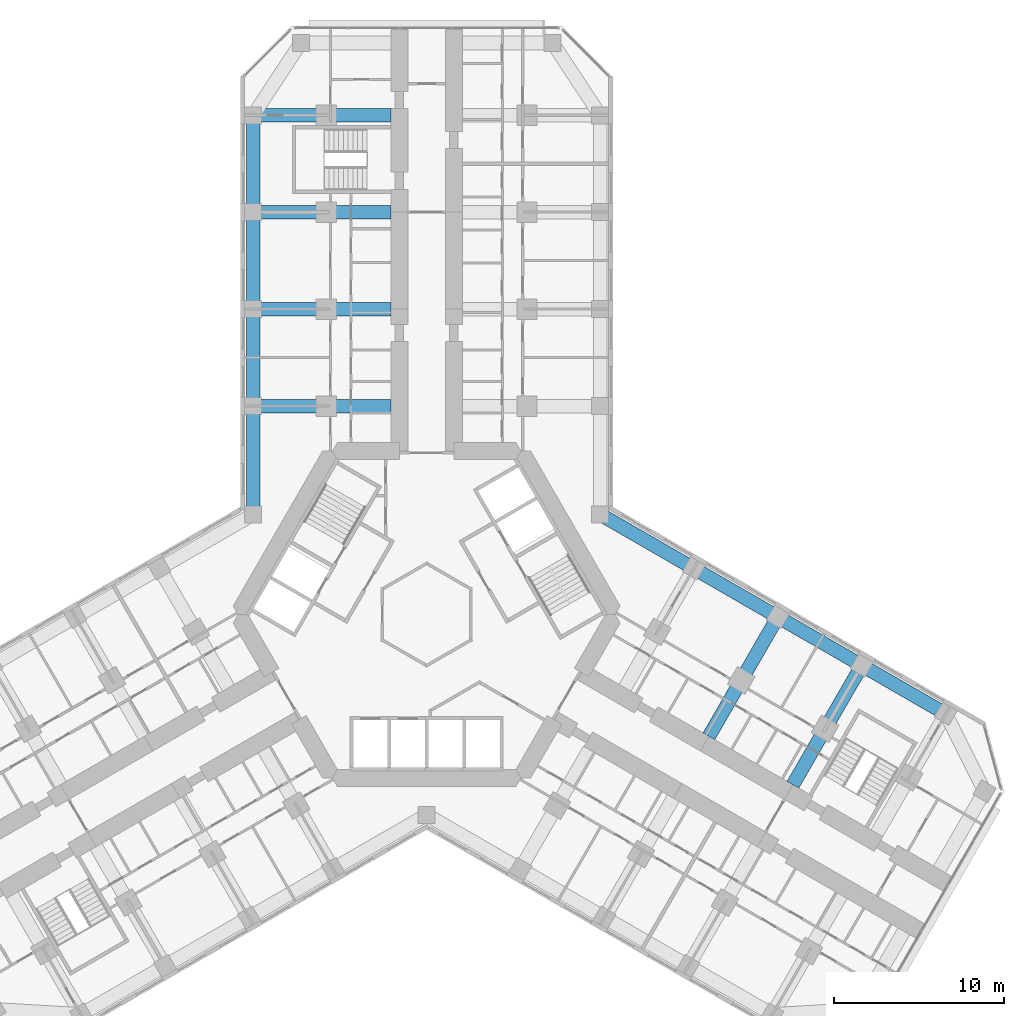
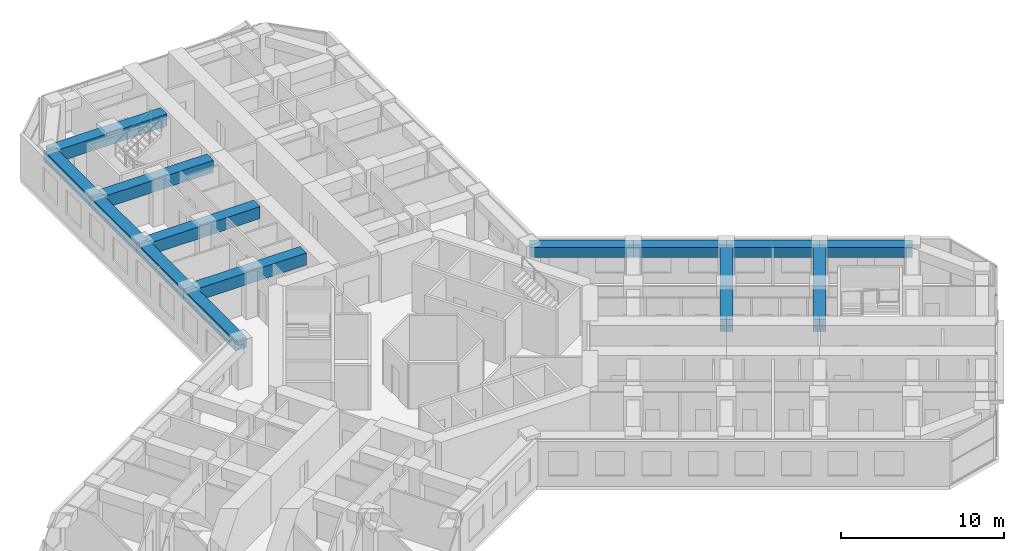
# One storey, part 6 of 21: 14 beams.
"""IFC4 building model written with IfcOpenShell, lengths in metres."""

from ifc_helpers import new_model, si_unit, direction, frame, origin, origin_2d, place, context, subcontext, project, spatial, rectangle, extrude, material, material_profile, profile_set, type_object, element, save


model = new_model("IFC4")

# Units and contexts
model_context = context("Model", 3, precision=1e-05, world=origin(), true_north=direction((0.0, 1.0)))
body_context = subcontext(model_context, "Body", "Model", "MODEL_VIEW")
ifc_project = project(units=[si_unit("LENGTHUNIT", "METRE"), si_unit("AREAUNIT", "SQUARE_METRE"), si_unit("VOLUMEUNIT", "CUBIC_METRE"), si_unit("PLANEANGLEUNIT", "RADIAN"), si_unit("MASSUNIT", "GRAM", prefix="KILO")], contexts=[model_context])

# Site, building, storey
site_placement = place(None, origin())
site = spatial("IfcSite", under=ifc_project, at=site_placement, CompositionType="ELEMENT")
building_placement = place(site_placement, origin())
building = spatial("IfcBuilding", under=site, at=building_placement, Name="Kosmar Iwan School Tower", CompositionType="ELEMENT")
storey_placement = place(building_placement, frame((0.0, 0.0, 50.199951171875)))
storey = spatial("IfcBuildingStorey", under=building, at=storey_placement, Name="L11", CompositionType="ELEMENT", Elevation=50.199951171875)

# Beams
ifc_material_1 = material(Name="Concrete C50/60", Category="concrete")
ifc_material_profile_1 = material_profile(ifc_material_1, rectangle(XDim=0.800048828125, YDim=0.75, at=origin_2d()), Name="RC 800x750")
ifc_profile_set_1 = profile_set([ifc_material_profile_1], Name="Concrete C50/60")
beam_type_1 = type_object("IfcBeamType", Name="RC edge beam 800x750", PredefinedType="BEAM", material=ifc_profile_set_1)
beam_1_placement = place(storey_placement, frame((-10.199951171875, 5.888916015625, 2.97509765625), z_axis=(0.0, 1.0, 0.0), x_axis=(-1.0, 0.0, 0.0)))
element("IfcBeam", 1, at=beam_1_placement, inside=storey, type_object=beam_type_1, Name="Edge beam AL1", PredefinedType="BEAM", context=body_context, shape_type="SweptSolid", body=[
    extrude(rectangle(XDim=0.800048828125, YDim=0.75, at=origin_2d()), origin(), (0.0, 0.0, 1.0), 6.361083984375),
])
for number, where, z_axis, x_axis, name in (
    (2, (-10.199951171875, 12.25, 2.97509765625), (0.0, 1.0, 0.0), (-1.0, 0.0, 0.0), "Edge beam AL2"),
    (3, (-10.199951171875, 17.949951171875, 2.97509765625), (0.0, 1.0, 0.0), (-1.0, 0.0, 0.0), "Edge beam AL3"),
):
    element("IfcBeam", number, at=place(storey_placement, frame(where, z_axis=z_axis, x_axis=x_axis)), inside=storey, type_object=beam_type_1, Name=name, PredefinedType="BEAM", context=body_context, shape_type="SweptSolid", body=[
        extrude(rectangle(XDim=0.800048828125, YDim=0.75, at=origin_2d()), origin(), (0.0, 0.0, 1.0), 5.699951171875),
    ])
beam_2_placement = place(storey_placement, frame((-10.199951171875, 23.64990234375, 2.97509765625), z_axis=(0.0, 1.0, 0.0), x_axis=(-1.0, 0.0, 0.0)))
element("IfcBeam", 4, at=beam_2_placement, inside=storey, type_object=beam_type_1, Name="Edge beam AL4", PredefinedType="BEAM", context=body_context, shape_type="SweptSolid", body=[
    extrude(rectangle(XDim=0.800048828125, YDim=0.75, at=origin_2d()), origin(), (0.0, 0.0, 1.0), 5.7001953125),
])
beam_3_placement = place(storey_placement, frame((10.199951171875, 5.888916015625, 2.97509765625), z_axis=(0.866030912664, -0.49999045822, 0.0), x_axis=(0.49999045822, 0.866030912664, 0.0)))
element("IfcBeam", 5, at=beam_3_placement, inside=storey, type_object=beam_type_1, Name="Edge beam CL1", PredefinedType="BEAM", context=body_context, shape_type="SweptSolid", body=[
    extrude(rectangle(XDim=0.800048828125, YDim=0.75, at=origin_2d()), origin(), (0.0, 0.0, 1.0), 6.36083984375),
])
beam_4_placement = place(storey_placement, frame((15.708740234375, 2.70849609375, 2.97509765625), z_axis=(0.866025820012, -0.499999279071, 0.0), x_axis=(0.499999279071, 0.866025820012, 0.0)))
element("IfcBeam", 6, at=beam_4_placement, inside=storey, type_object=beam_type_1, Name="Edge beam CL2", PredefinedType="BEAM", context=body_context, shape_type="SweptSolid", body=[
    extrude(rectangle(XDim=0.800048828125, YDim=0.75, at=origin_2d()), origin(), (0.0, 0.0, 1.0), 5.7001953125),
])
for number, where, z_axis, x_axis, name in (
    (7, (20.645263671875, -0.1416015625, 2.97509765625), (0.866033658841, -0.49998570155, 0.0), (0.49998570155, 0.866033658841, 0.0), "Edge beam CL3"),
    (8, (25.58154296875, -2.991455078125, 2.97509765625), (0.866015111908, -0.50001782563, 0.0), (0.50001782563, 0.866015111908, 0.0), "Edge beam CL4"),
):
    element("IfcBeam", number, at=place(storey_placement, frame(where, z_axis=z_axis, x_axis=x_axis)), inside=storey, type_object=beam_type_1, Name=name, PredefinedType="BEAM", context=body_context, shape_type="SweptSolid", body=[
        extrude(rectangle(XDim=0.800048828125, YDim=0.75, at=origin_2d()), origin(), (0.0, 0.0, 1.0), 5.699951171875),
    ])
ifc_material_2 = material(Name="Concrete C50/60", Category="concrete")
ifc_material_profile_2 = material_profile(ifc_material_2, rectangle(XDim=0.800048828125, YDim=0.89990234375, at=origin_2d()), Name="RC 800x900")
ifc_profile_set_2 = profile_set([ifc_material_profile_2], Name="Concrete C50/60")
beam_type_2 = type_object("IfcBeamType", Name="RC transverse beam 800x900", PredefinedType="BEAM", material=ifc_profile_set_2)
for number, where, z_axis, x_axis, name in (
    (9, (-10.199951171875, 12.25, 2.900146484375), (1.0, 0.0, 0.0), (0.0, 1.0, 0.0), "Transverse beam AL1"),
    (10, (-10.199951171875, 17.949951171875, 2.900146484375), (1.0, 0.0, 0.0), (0.0, 1.0, 0.0), "Transverse beam AL2"),
    (11, (-10.199951171875, 23.64990234375, 2.900146484375), (1.0, 0.0, 0.0), (0.0, 1.0, 0.0), "Transverse beam AL3"),
    (12, (-10.199951171875, 29.35009765625, 2.900146484375), (1.0, 0.0, 0.0), (0.0, 1.0, 0.0), "Transverse beam AL4"),
    (13, (20.645263671875, -0.1416015625, 2.900146484375), (-0.500012932018, -0.866017937352, 0.0), (0.866017937352, -0.500012932018, 0.0), "Transverse beam CL2"),
):
    element("IfcBeam", number, at=place(storey_placement, frame(where, z_axis=z_axis, x_axis=x_axis)), inside=storey, type_object=beam_type_2, Name=name, PredefinedType="BEAM", context=body_context, shape_type="SweptSolid", body=[
        extrude(rectangle(XDim=0.800048828125, YDim=0.89990234375, at=origin_2d()), origin(), (0.0, 0.0, 1.0), 8.099853515625),
    ])
beam_5_placement = place(storey_placement, frame((25.58154296875, -2.991455078125, 2.900146484375), z_axis=(-0.499999880539, -0.866025472755, 0.0), x_axis=(0.866025472755, -0.499999880539, 0.0)))
element("IfcBeam", 14, at=beam_5_placement, inside=storey, type_object=beam_type_2, Name="Transverse beam CL3", PredefinedType="BEAM", context=body_context, shape_type="SweptSolid", body=[
    extrude(rectangle(XDim=0.800048828125, YDim=0.89990234375, at=origin_2d()), origin(), (0.0, 0.0, 1.0), 8.10009765625),
])

save(model, "model.ifc")
